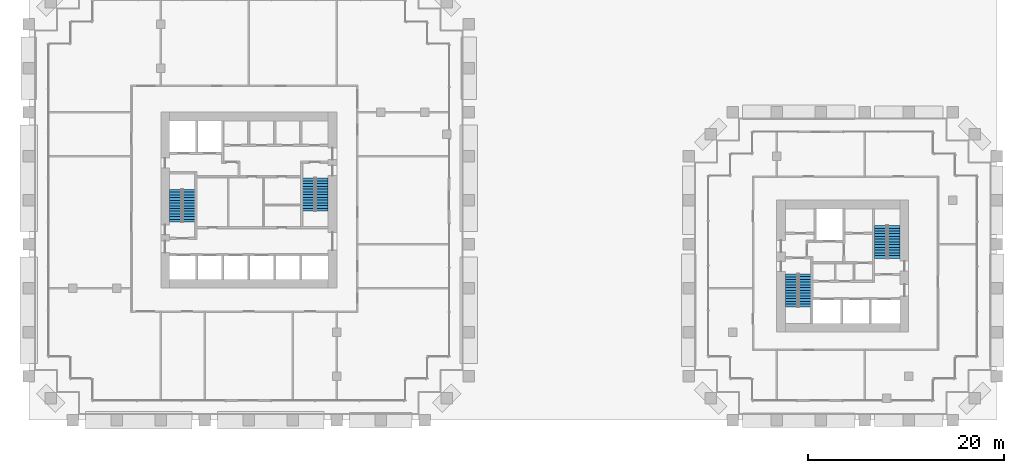
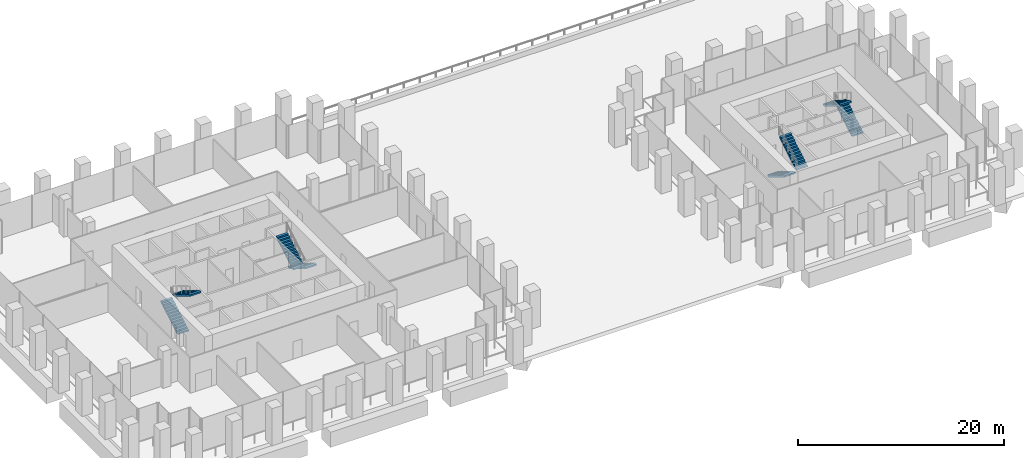
# One storey, part 30 of 32: 8 stair flights, 4 elements without a shape of their own.
"""IFC4 building model written with IfcOpenShell, lengths in metres."""

from ifc_helpers import new_model, si_unit, direction, frame, origin, place, context, subcontext, project, spatial, polyline, outline, extrude, material, type_object, element, aggregate, save


model = new_model("IFC4")

# Units and contexts
model_context = context("Model", 3, precision=1e-05, world=origin(), true_north=direction((0.0, 1.0)))
body_context = subcontext(model_context, "Body", "Model", "MODEL_VIEW")
ifc_project = project(units=[si_unit("LENGTHUNIT", "METRE"), si_unit("AREAUNIT", "SQUARE_METRE"), si_unit("VOLUMEUNIT", "CUBIC_METRE"), si_unit("PLANEANGLEUNIT", "RADIAN"), si_unit("MASSUNIT", "GRAM", prefix="KILO")], contexts=[model_context])

# Site, building, storey
site_placement = place(None, origin())
site = spatial("IfcSite", under=ifc_project, at=site_placement, CompositionType="ELEMENT")
building_placement = place(site_placement, origin())
building = spatial("IfcBuilding", under=site, at=building_placement, Name="Altepetl Exchange Towers", CompositionType="ELEMENT")
storey_placement = place(building_placement, frame((0.0, 0.0, 21.0)))
storey = spatial("IfcBuildingStorey", under=building, at=storey_placement, Name="L04", CompositionType="ELEMENT", Elevation=21.0)

# Stair, stair flights
ifc_material = material(Name="Concrete C40/50", Category="concrete")
stair_type = type_object("IfcStairType", Name="Exit stair 1250 flights dogleg", PredefinedType="HALF_TURN_STAIR", material=ifc_material)
stair_1_placement = place(storey_placement, origin())
stair_1 = element("IfcStair", 1, at=stair_1_placement, inside=storey, type_object=stair_type, Name="Exit stair 1", PredefinedType="HALF_TURN_STAIR")
stair_flight_type = type_object("IfcStairFlightType", Name="Stair flight 1250 wide", PredefinedType="STRAIGHT", material=ifc_material)
stair_flight_1_placement = place(storey_placement, frame((42.02490234375, 47.25, 0.0), z_axis=(0.0, 0.0, 1.0), x_axis=(0.0, 1.0, 0.0)))
stair_flight_1 = element("IfcStairFlight", 2, at=stair_flight_1_placement, type_object=stair_flight_type, Name="ST-A1b flight 1", NumberOfRisers=13, NumberOfTreads=12, PredefinedType="STRAIGHT", RiserHeight=0.169230769, TreadLength=0.28, context=body_context, shape_type="SweptSolid", body=[
    extrude(outline(polyline([(0.0, 0.0), (0.0, 0.169189453125), (0.280029296875, 0.169189453125), (0.280029296875, 0.33837890625), (0.56005859375, 0.33837890625), (0.56005859375, 0.5078125), (0.840087890625, 0.5078125), (0.840087890625, 0.677001953125), (1.1201171875, 0.677001953125), (1.1201171875, 0.84619140625), (1.39990234375, 0.84619140625), (1.39990234375, 1.015380859375), (1.679931640625, 1.015380859375), (1.679931640625, 1.1845703125), (1.9599609375, 1.1845703125), (1.9599609375, 1.353759765625), (2.239990234375, 1.353759765625), (2.239990234375, 1.523193359375), (2.52001953125, 1.523193359375), (2.52001953125, 1.6923828125), (2.800048828125, 1.6923828125), (2.800048828125, 1.861572265625), (3.080078125, 1.861572265625), (3.080078125, 2.03076171875), (3.360107421875, 2.03076171875), (3.360107421875, 2.199951171875), (3.360107421875, 1.855712890625), (0.289794921875, 0.0), (0.0, 0.0)])), frame((0.0, 0.625, 0.0), z_axis=(0.0, -1.0, 0.0), x_axis=(1.0, 0.0, 0.0)), (0.0, 0.0, 1.0), 1.25),
])
stair_flight_2_placement = place(storey_placement, frame((43.375, 50.610107421875, 2.199951171875), z_axis=(0.0, 0.0, 1.0), x_axis=(0.0, -1.0, 0.0)))
stair_flight_2 = element("IfcStairFlight", 3, at=stair_flight_2_placement, type_object=stair_flight_type, Name="ST-A1b flight 2", NumberOfRisers=13, NumberOfTreads=12, PredefinedType="STRAIGHT", RiserHeight=0.169230769, TreadLength=0.28, context=body_context, shape_type="SweptSolid", body=[
    extrude(outline(polyline([(0.0, 0.0), (0.0, 0.169189453125), (0.280029296875, 0.169189453125), (0.280029296875, 0.33837890625), (0.56005859375, 0.33837890625), (0.56005859375, 0.5078125), (0.840087890625, 0.5078125), (0.840087890625, 0.677001953125), (1.1201171875, 0.677001953125), (1.1201171875, 0.84619140625), (1.39990234375, 0.84619140625), (1.39990234375, 1.015380859375), (1.679931640625, 1.015380859375), (1.679931640625, 1.1845703125), (1.9599609375, 1.1845703125), (1.9599609375, 1.353759765625), (2.239990234375, 1.353759765625), (2.239990234375, 1.523193359375), (2.52001953125, 1.523193359375), (2.52001953125, 1.6923828125), (2.800048828125, 1.6923828125), (2.800048828125, 1.861572265625), (3.080078125, 1.861572265625), (3.080078125, 2.03076171875), (3.360107421875, 2.03076171875), (3.360107421875, 2.199951171875), (3.360107421875, 1.855712890625), (0.289794921875, 0.0), (0.0, 0.0)])), frame((0.0, 0.625, 0.0), z_axis=(0.0, -1.0, 0.0), x_axis=(1.0, 0.0, 0.0)), (0.0, 0.0, 1.0), 1.25),
])
aggregate(stair_1, [stair_flight_1, stair_flight_2])

stair_2_placement = place(storey_placement, origin())
stair_2 = element("IfcStair", 4, at=stair_2_placement, inside=storey, type_object=stair_type, Name="Exit stair 2", PredefinedType="HALF_TURN_STAIR")
stair_flight_3_placement = place(storey_placement, frame((56.97509765625, 51.75, 0.0), z_axis=(0.0, 0.0, 1.0), x_axis=(0.0, -1.0, 0.0)))
stair_flight_3 = element("IfcStairFlight", 5, at=stair_flight_3_placement, type_object=stair_flight_type, Name="ST-A2b flight 1", NumberOfRisers=13, NumberOfTreads=12, PredefinedType="STRAIGHT", RiserHeight=0.169230769, TreadLength=0.28, context=body_context, shape_type="SweptSolid", body=[
    extrude(outline(polyline([(0.0, 0.0), (0.0, 0.169189453125), (0.280029296875, 0.169189453125), (0.280029296875, 0.33837890625), (0.56005859375, 0.33837890625), (0.56005859375, 0.5078125), (0.840087890625, 0.5078125), (0.840087890625, 0.677001953125), (1.1201171875, 0.677001953125), (1.1201171875, 0.84619140625), (1.39990234375, 0.84619140625), (1.39990234375, 1.015380859375), (1.679931640625, 1.015380859375), (1.679931640625, 1.1845703125), (1.9599609375, 1.1845703125), (1.9599609375, 1.353759765625), (2.239990234375, 1.353759765625), (2.239990234375, 1.523193359375), (2.52001953125, 1.523193359375), (2.52001953125, 1.6923828125), (2.800048828125, 1.6923828125), (2.800048828125, 1.861572265625), (3.080078125, 1.861572265625), (3.080078125, 2.03076171875), (3.360107421875, 2.03076171875), (3.360107421875, 2.199951171875), (3.360107421875, 1.855712890625), (0.289794921875, 0.0), (0.0, 0.0)])), frame((0.0, 0.625, 0.0), z_axis=(0.0, -1.0, 0.0), x_axis=(1.0, 0.0, 0.0)), (0.0, 0.0, 1.0), 1.25),
])
stair_flight_4_placement = place(storey_placement, frame((55.625, 48.389892578125, 2.199951171875), z_axis=(0.0, 0.0, 1.0), x_axis=(0.0, 1.0, 0.0)))
stair_flight_4 = element("IfcStairFlight", 6, at=stair_flight_4_placement, type_object=stair_flight_type, Name="ST-A2b flight 2", NumberOfRisers=13, NumberOfTreads=12, PredefinedType="STRAIGHT", RiserHeight=0.169230769, TreadLength=0.28, context=body_context, shape_type="SweptSolid", body=[
    extrude(outline(polyline([(0.0, 0.0), (0.0, 0.169189453125), (0.280029296875, 0.169189453125), (0.280029296875, 0.33837890625), (0.56005859375, 0.33837890625), (0.56005859375, 0.5078125), (0.840087890625, 0.5078125), (0.840087890625, 0.677001953125), (1.1201171875, 0.677001953125), (1.1201171875, 0.84619140625), (1.39990234375, 0.84619140625), (1.39990234375, 1.015380859375), (1.679931640625, 1.015380859375), (1.679931640625, 1.1845703125), (1.9599609375, 1.1845703125), (1.9599609375, 1.353759765625), (2.239990234375, 1.353759765625), (2.239990234375, 1.523193359375), (2.52001953125, 1.523193359375), (2.52001953125, 1.6923828125), (2.800048828125, 1.6923828125), (2.800048828125, 1.861572265625), (3.080078125, 1.861572265625), (3.080078125, 2.03076171875), (3.360107421875, 2.03076171875), (3.360107421875, 2.199951171875), (3.360107421875, 1.855712890625), (0.289794921875, 0.0), (0.0, 0.0)])), frame((0.0, 0.625, 0.0), z_axis=(0.0, -1.0, 0.0), x_axis=(1.0, 0.0, 0.0)), (0.0, 0.0, 1.0), 1.25),
])
aggregate(stair_2, [stair_flight_3, stair_flight_4])

stair_3_placement = place(storey_placement, origin())
stair_3 = element("IfcStair", 7, at=stair_3_placement, inside=storey, type_object=stair_type, Name="Exit stair 1", PredefinedType="HALF_TURN_STAIR")
stair_flight_5_placement = place(storey_placement, frame((105.02490234375, 41.949951171875, 0.0), z_axis=(0.0, 0.0, 1.0), x_axis=(0.0, -1.0, 0.0)))
stair_flight_5 = element("IfcStairFlight", 8, at=stair_flight_5_placement, type_object=stair_flight_type, Name="ST-B1b flight 1", NumberOfRisers=13, NumberOfTreads=12, PredefinedType="STRAIGHT", RiserHeight=0.169230769, TreadLength=0.28, context=body_context, shape_type="SweptSolid", body=[
    extrude(outline(polyline([(0.0, 0.0), (0.0, 0.169189453125), (0.280029296875, 0.169189453125), (0.280029296875, 0.33837890625), (0.56005859375, 0.33837890625), (0.56005859375, 0.5078125), (0.840087890625, 0.5078125), (0.840087890625, 0.677001953125), (1.1201171875, 0.677001953125), (1.1201171875, 0.84619140625), (1.39990234375, 0.84619140625), (1.39990234375, 1.015380859375), (1.679931640625, 1.015380859375), (1.679931640625, 1.1845703125), (1.9599609375, 1.1845703125), (1.9599609375, 1.353759765625), (2.239990234375, 1.353759765625), (2.239990234375, 1.523193359375), (2.52001953125, 1.523193359375), (2.52001953125, 1.6923828125), (2.800048828125, 1.6923828125), (2.800048828125, 1.861572265625), (3.080078125, 1.861572265625), (3.080078125, 2.03076171875), (3.360107421875, 2.03076171875), (3.360107421875, 2.199951171875), (3.360107421875, 1.855712890625), (0.289794921875, 0.0), (0.0, 0.0)])), frame((0.0, 0.625, 0.0), z_axis=(0.0, -1.0, 0.0), x_axis=(1.0, 0.0, 0.0)), (0.0, 0.0, 1.0), 1.25),
])
stair_flight_6_placement = place(storey_placement, frame((106.375, 38.590087890625, 2.199951171875), z_axis=(0.0, 0.0, 1.0), x_axis=(0.0, 1.0, 0.0)))
stair_flight_6 = element("IfcStairFlight", 9, at=stair_flight_6_placement, type_object=stair_flight_type, Name="ST-B1b flight 2", NumberOfRisers=13, NumberOfTreads=12, PredefinedType="STRAIGHT", RiserHeight=0.169230769, TreadLength=0.28, context=body_context, shape_type="SweptSolid", body=[
    extrude(outline(polyline([(0.0, 0.0), (0.0, 0.169189453125), (0.280029296875, 0.169189453125), (0.280029296875, 0.33837890625), (0.56005859375, 0.33837890625), (0.56005859375, 0.5078125), (0.840087890625, 0.5078125), (0.840087890625, 0.677001953125), (1.1201171875, 0.677001953125), (1.1201171875, 0.84619140625), (1.39990234375, 0.84619140625), (1.39990234375, 1.015380859375), (1.679931640625, 1.015380859375), (1.679931640625, 1.1845703125), (1.9599609375, 1.1845703125), (1.9599609375, 1.353759765625), (2.239990234375, 1.353759765625), (2.239990234375, 1.523193359375), (2.52001953125, 1.523193359375), (2.52001953125, 1.6923828125), (2.800048828125, 1.6923828125), (2.800048828125, 1.861572265625), (3.080078125, 1.861572265625), (3.080078125, 2.03076171875), (3.360107421875, 2.03076171875), (3.360107421875, 2.199951171875), (3.360107421875, 1.855712890625), (0.289794921875, 0.0), (0.0, 0.0)])), frame((0.0, 0.625, 0.0), z_axis=(0.0, -1.0, 0.0), x_axis=(1.0, 0.0, 0.0)), (0.0, 0.0, 1.0), 1.25),
])
aggregate(stair_3, [stair_flight_5, stair_flight_6])

stair_4_placement = place(storey_placement, origin())
stair_4 = element("IfcStair", 10, at=stair_4_placement, inside=storey, type_object=stair_type, Name="Exit stair 2", PredefinedType="HALF_TURN_STAIR")
stair_flight_7_placement = place(storey_placement, frame((115.47509765625, 43.550048828125, 0.0), z_axis=(0.0, 0.0, 1.0), x_axis=(0.0, 1.0, 0.0)))
stair_flight_7 = element("IfcStairFlight", 11, at=stair_flight_7_placement, type_object=stair_flight_type, Name="ST-B2b flight 1", NumberOfRisers=13, NumberOfTreads=12, PredefinedType="STRAIGHT", RiserHeight=0.169230769, TreadLength=0.28, context=body_context, shape_type="SweptSolid", body=[
    extrude(outline(polyline([(0.0, 0.0), (0.0, 0.169189453125), (0.280029296875, 0.169189453125), (0.280029296875, 0.33837890625), (0.56005859375, 0.33837890625), (0.56005859375, 0.5078125), (0.840087890625, 0.5078125), (0.840087890625, 0.677001953125), (1.1201171875, 0.677001953125), (1.1201171875, 0.84619140625), (1.39990234375, 0.84619140625), (1.39990234375, 1.015380859375), (1.679931640625, 1.015380859375), (1.679931640625, 1.1845703125), (1.9599609375, 1.1845703125), (1.9599609375, 1.353759765625), (2.239990234375, 1.353759765625), (2.239990234375, 1.523193359375), (2.52001953125, 1.523193359375), (2.52001953125, 1.6923828125), (2.800048828125, 1.6923828125), (2.800048828125, 1.861572265625), (3.080078125, 1.861572265625), (3.080078125, 2.03076171875), (3.360107421875, 2.03076171875), (3.360107421875, 2.199951171875), (3.360107421875, 1.855712890625), (0.289794921875, 0.0), (0.0, 0.0)])), frame((0.0, 0.625, 0.0), z_axis=(0.0, -1.0, 0.0), x_axis=(1.0, 0.0, 0.0)), (0.0, 0.0, 1.0), 1.25),
])
stair_flight_8_placement = place(storey_placement, frame((114.125, 46.909912109375, 2.199951171875), z_axis=(0.0, 0.0, 1.0), x_axis=(0.0, -1.0, 0.0)))
stair_flight_8 = element("IfcStairFlight", 12, at=stair_flight_8_placement, type_object=stair_flight_type, Name="ST-B2b flight 2", NumberOfRisers=13, NumberOfTreads=12, PredefinedType="STRAIGHT", RiserHeight=0.169230769, TreadLength=0.28, context=body_context, shape_type="SweptSolid", body=[
    extrude(outline(polyline([(0.0, 0.0), (0.0, 0.169189453125), (0.280029296875, 0.169189453125), (0.280029296875, 0.33837890625), (0.56005859375, 0.33837890625), (0.56005859375, 0.5078125), (0.840087890625, 0.5078125), (0.840087890625, 0.677001953125), (1.1201171875, 0.677001953125), (1.1201171875, 0.84619140625), (1.39990234375, 0.84619140625), (1.39990234375, 1.015380859375), (1.679931640625, 1.015380859375), (1.679931640625, 1.1845703125), (1.9599609375, 1.1845703125), (1.9599609375, 1.353759765625), (2.239990234375, 1.353759765625), (2.239990234375, 1.523193359375), (2.52001953125, 1.523193359375), (2.52001953125, 1.6923828125), (2.800048828125, 1.6923828125), (2.800048828125, 1.861572265625), (3.080078125, 1.861572265625), (3.080078125, 2.03076171875), (3.360107421875, 2.03076171875), (3.360107421875, 2.199951171875), (3.360107421875, 1.855712890625), (0.289794921875, 0.0), (0.0, 0.0)])), frame((0.0, 0.625, 0.0), z_axis=(0.0, -1.0, 0.0), x_axis=(1.0, 0.0, 0.0)), (0.0, 0.0, 1.0), 1.25),
])
aggregate(stair_4, [stair_flight_7, stair_flight_8])

save(model, "model.ifc")
